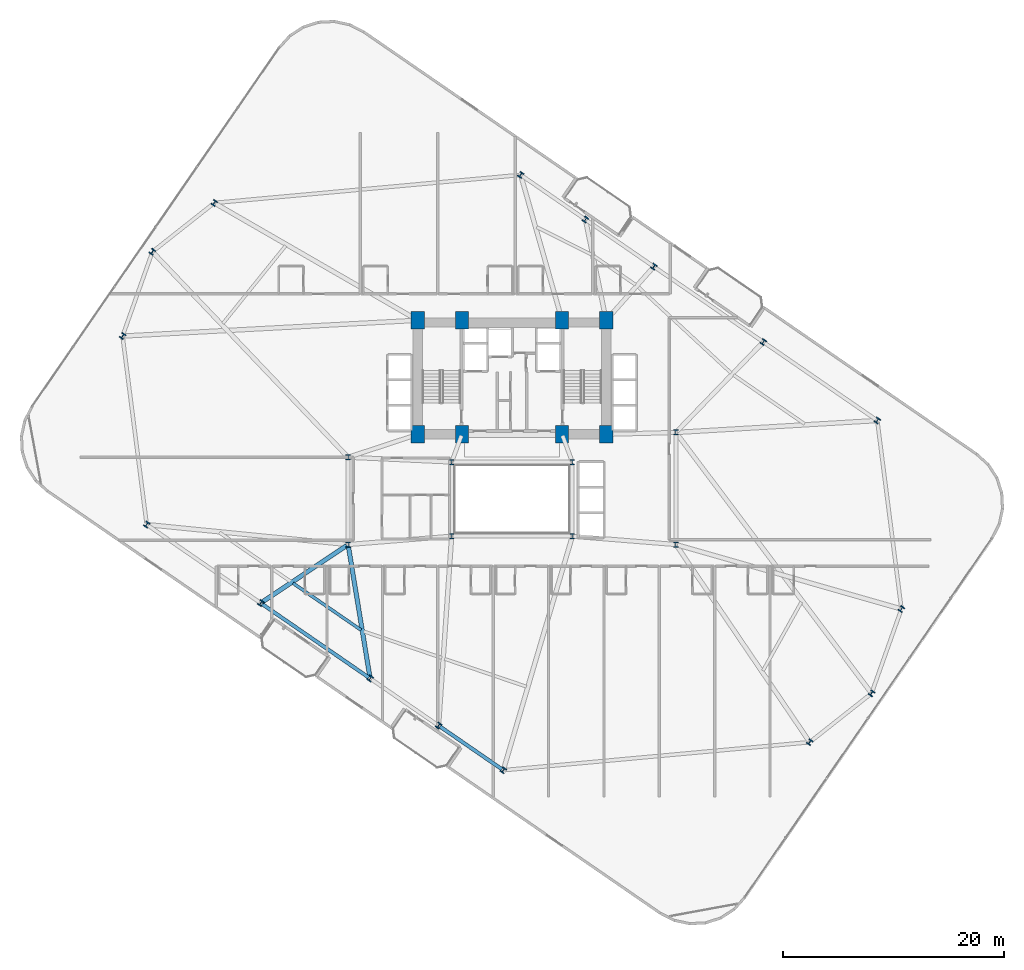
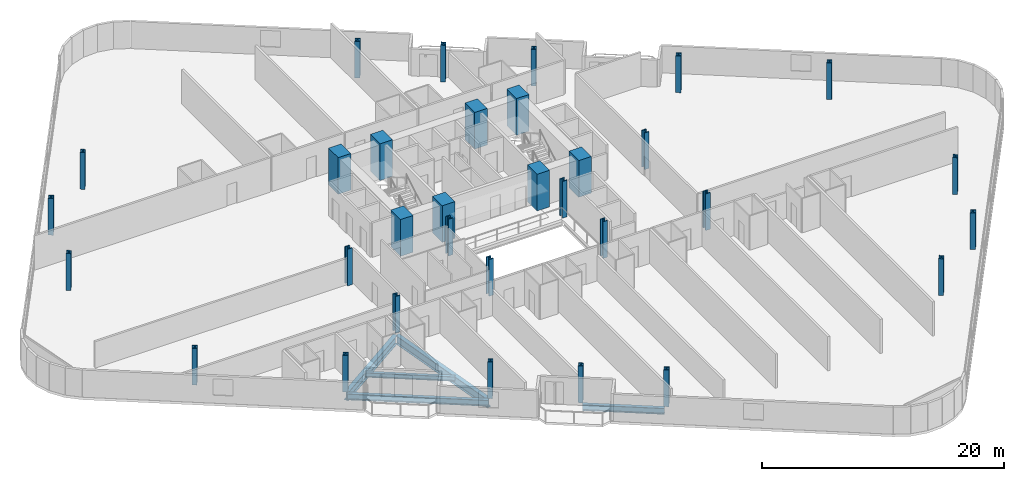
# One storey, part 1 of 27: 32 columns, 5 beams.
"""IFC4 building model written with IfcOpenShell, lengths in metres."""

from ifc_helpers import new_model, si_unit, direction, frame, origin, origin_2d, place, context, subcontext, project, spatial, rectangle, i_section, extrude, material, material_profile, profile_set, type_object, element, save


model = new_model("IFC4")

# Units and contexts
model_context = context("Model", 3, precision=1e-05, world=origin(), true_north=direction((0.0, 1.0)))
body_context = subcontext(model_context, "Body", "Model", "MODEL_VIEW")
ifc_project = project(units=[si_unit("LENGTHUNIT", "METRE"), si_unit("AREAUNIT", "SQUARE_METRE"), si_unit("VOLUMEUNIT", "CUBIC_METRE"), si_unit("PLANEANGLEUNIT", "RADIAN"), si_unit("MASSUNIT", "GRAM", prefix="KILO")], contexts=[model_context])

# Site, building, storey
site_placement = place(None, origin())
site = spatial("IfcSite", under=ifc_project, at=site_placement, CompositionType="ELEMENT")
building_placement = place(site_placement, origin())
building = spatial("IfcBuilding", under=site, at=building_placement, Name="Varnelok Gate Tower", CompositionType="ELEMENT")
storey_placement = place(building_placement, frame((0.0, 0.0, 30.699951171875)))
storey = spatial("IfcBuildingStorey", under=building, at=storey_placement, Name="L06", CompositionType="ELEMENT", Elevation=30.699951171875)

# Columns
ifc_material_1 = material(Name="Concrete C70/85", Category="concrete")
ifc_material_profile_1 = material_profile(ifc_material_1, rectangle(XDim=1.199951171875, YDim=1.60009765625, at=origin_2d()), Name="RC1600X1200")
ifc_profile_set_1 = profile_set([ifc_material_profile_1], Name="Concrete C70/85")
column_type_1 = type_object("IfcColumnType", Name="COL-RC1600X1200", PredefinedType="COLUMN", material=ifc_profile_set_1)
for number, where, z_axis, x_axis, name in (
    (1, (30.699951171875, 28.75, 0.0), (0.0, 0.0, 1.0), (1.0, 0.0, 0.0), "L06 Core Spine Column SC1"),
    (2, (34.679931640625, 28.75, 0.0), (0.0, 0.0, 1.0), (1.0, 0.0, 0.0), "L06 Core Spine Column SC2"),
    (3, (43.719970703125, 28.75, 0.0), (0.0, 0.0, 1.0), (1.0, 0.0, 0.0), "L06 Core Spine Column SC3"),
    (4, (47.699951171875, 28.75, 0.0), (0.0, 0.0, 1.0), (1.0, 0.0, 0.0), "L06 Core Spine Column SC4"),
    (5, (30.699951171875, 39.050048828125, 0.0), (0.0, 0.0, 1.0), (1.0, 0.0, 0.0), "L06 Core Spine Column SC5"),
    (6, (34.679931640625, 39.050048828125, 0.0), (0.0, 0.0, 1.0), (1.0, 0.0, 0.0), "L06 Core Spine Column SC6"),
    (7, (43.719970703125, 39.050048828125, 0.0), (0.0, 0.0, 1.0), (1.0, 0.0, 0.0), "L06 Core Spine Column SC7"),
    (8, (47.699951171875, 39.050048828125, 0.0), (0.0, 0.0, 1.0), (1.0, 0.0, 0.0), "L06 Core Spine Column SC8"),
):
    element("IfcColumn", number, at=place(storey_placement, frame(where, z_axis=z_axis, x_axis=x_axis)), inside=storey, type_object=column_type_1, Name=name, PredefinedType="COLUMN", context=body_context, shape_type="SweptSolid", body=[
        extrude(rectangle(XDim=1.199951171875, YDim=1.60009765625, at=origin_2d()), origin(), (0.0, 0.0, 1.0), 3.699951171875),
    ])
ifc_material_2 = material(Name="Structural Steel ASTM A992 Grade 50", Category="steel")
ifc_material_profile_2 = material_profile(ifc_material_2, i_section(OverallWidth=0.431884765625, OverallDepth=0.498046875, WebThickness=0.0556640625, FlangeThickness=0.0888671875, FilletRadius=0.02490234375, at=origin_2d()), Name="W14X500")
ifc_profile_set_2 = profile_set([ifc_material_profile_2], Name="Structural Steel ASTM A992 Grade 50")
column_type_2 = type_object("IfcColumnType", Name="COL-W14X500", PredefinedType="COLUMN", material=ifc_profile_set_2)
for number, where, z_axis, x_axis, name in (
    (9, (33.75, 19.550048828125, 0.0), (0.0, 0.0, 1.0), (1.0, 0.0, 0.0), "L06 Atrium Spine Column AC1"),
    (10, (44.64990234375, 19.550048828125, 0.0), (0.0, 0.0, 1.0), (1.0, 0.0, 0.0), "L06 Atrium Spine Column AC2"),
    (11, (33.75, 26.25, 0.0), (0.0, 0.0, 1.0), (1.0, 0.0, 0.0), "L06 Atrium Spine Column AC3"),
    (12, (44.64990234375, 26.25, 0.0), (0.0, 0.0, 1.0), (1.0, 0.0, 0.0), "L06 Atrium Spine Column AC4"),
    (13, (24.39990234375, 18.800048828125, 0.0), (0.0, 0.0, 1.0), (1.0, 0.0, 0.0), "L06 Wing Spine Column WS1"),
    (14, (24.39990234375, 26.679931640625, 0.0), (0.0, 0.0, 1.0), (1.0, 0.0, 0.0), "L06 Wing Spine Column WS2"),
    (15, (54.0, 18.800048828125, 0.0), (0.0, 0.0, 1.0), (1.0, 0.0, 0.0), "L06 Wing Spine Column ES1"),
    (16, (54.0, 28.919921875, 0.0), (0.0, 0.0, 1.0), (1.0, 0.0, 0.0), "L06 Wing Spine Column ES2"),
    (17, (6.214599609375, 20.602783203125, 0.0), (0.0, 0.0, 1.0), (0.823532597628, -0.567268949127, 0.0), "L06 B1 Perimeter Column PC01"),
    (18, (16.5087890625, 13.511962890625, 0.0), (0.0, 0.0, 1.0), (0.823532597628, -0.567268949127, 0.0), "L06 B1 Perimeter Column PC02"),
    (19, (26.39111328125, 6.70458984375, 0.0), (0.0, 0.0, 1.0), (0.823532597628, -0.567268949127, 0.0), "L06 B1 Perimeter Column PC03"),
    (20, (32.567626953125, 2.4501953125, 0.0), (0.0, 0.0, 1.0), (0.823532597628, -0.567268949127, 0.0), "L06 B1 Perimeter Column PC04"),
    (21, (38.41455078125, -1.577392578125, 0.0), (0.0, 0.0, 1.0), (0.823532597628, -0.567268949127, 0.0), "L06 B1 Perimeter Column PC05"),
    (22, (66.084716796875, 0.95263671875, 0.0), (0.0, 0.0, 1.0), (0.823532597628, -0.567268949127, 0.0), "L06 B1 Perimeter Column PC06"),
    (23, (71.669921875, 5.362548828125, 0.0), (0.0, 0.0, 1.0), (0.823532597628, -0.567268949127, 0.0), "L06 B1 Perimeter Column PC07"),
    (24, (74.366943359375, 12.976318359375, 0.0), (0.0, 0.0, 1.0), (0.823532597628, -0.567268949127, 0.0), "L06 B1 Perimeter Column PC08"),
    (25, (72.185546875, 29.997314453125, 0.0), (0.0, 0.0, 1.0), (0.823532597628, -0.567268949127, 0.0), "L06 B1 Perimeter Column PC09"),
    (26, (61.891357421875, 37.088134765625, 0.0), (0.0, 0.0, 1.0), (0.823532597628, -0.567268949127, 0.0), "L06 B1 Perimeter Column PC10"),
    (27, (52.0087890625, 43.8955078125, 0.0), (0.0, 0.0, 1.0), (0.823532597628, -0.567268949127, 0.0), "L06 B1 Perimeter Column PC11"),
    (28, (45.83251953125, 48.14990234375, 0.0), (0.0, 0.0, 1.0), (0.823532597628, -0.567268949127, 0.0), "L06 B1 Perimeter Column PC12"),
    (29, (39.9853515625, 52.177490234375, 0.0), (0.0, 0.0, 1.0), (0.823532597628, -0.567268949127, 0.0), "L06 B1 Perimeter Column PC13"),
    (30, (12.315185546875, 49.6474609375, 0.0), (0.0, 0.0, 1.0), (0.823532597628, -0.567268949127, 0.0), "L06 B1 Perimeter Column PC14"),
    (31, (6.72998046875, 45.237548828125, 0.0), (0.0, 0.0, 1.0), (0.823532597628, -0.567268949127, 0.0), "L06 B1 Perimeter Column PC15"),
    (32, (4.033203125, 37.623779296875, 0.0), (0.0, 0.0, 1.0), (0.823532597628, -0.567268949127, 0.0), "L06 B1 Perimeter Column PC16"),
):
    element("IfcColumn", number, at=place(storey_placement, frame(where, z_axis=z_axis, x_axis=x_axis)), inside=storey, type_object=column_type_2, Name=name, PredefinedType="COLUMN", context=body_context, shape_type="SweptSolid", body=[
        extrude(i_section(OverallWidth=0.431884765625, OverallDepth=0.498046875, WebThickness=0.0556640625, FlangeThickness=0.0888671875, FilletRadius=0.02490234375, at=origin_2d()), origin(), (0.0, 0.0, 1.0), 3.699951171875),
    ])

# Beams
ifc_material_profile_3 = material_profile(ifc_material_2, i_section(OverallWidth=0.280029296875, OverallDepth=0.462890625, WebThickness=0.0107421875, FlangeThickness=0.017333984375, FilletRadius=0.014892578125, at=origin_2d()), Name="W18X76")
ifc_profile_set_3 = profile_set([ifc_material_profile_3], Name="Structural Steel ASTM A992 Grade 50")
beam_type_1 = type_object("IfcBeamType", Name="BM-JST-W18X76", PredefinedType="JOIST", material=ifc_profile_set_3)
beam_1_placement = place(storey_placement, frame((19.42529296875, 15.309814453125, -0.4814453125), z_axis=(0.823536478582, -0.567263314911, 0.0), x_axis=(0.567263314911, 0.823536478582, 0.0)))
element("IfcBeam", 33, at=beam_1_placement, inside=storey, type_object=beam_type_1, Name="L06 Sector Floor Joist 2", PredefinedType="JOIST", context=body_context, shape_type="SweptSolid", body=[
    extrude(i_section(OverallWidth=0.280029296875, OverallDepth=0.462890625, WebThickness=0.0107421875, FlangeThickness=0.017333984375, FilletRadius=0.014892578125, at=origin_2d()), origin(), (0.0, 0.0, 1.0), 7.460205078125),
])
ifc_material_profile_4 = material_profile(ifc_material_2, i_section(OverallWidth=0.39892578125, OverallDepth=0.85498046875, WebThickness=0.018310546875, FlangeThickness=0.029296875, FilletRadius=0.02392578125, at=origin_2d()), Name="W33X201")
ifc_profile_set_4 = profile_set([ifc_material_profile_4], Name="Structural Steel ASTM A992 Grade 50")
beam_type_2 = type_object("IfcBeamType", Name="BM-PRI-W33X201", PredefinedType="BEAM", material=ifc_profile_set_4)
beam_2_placement = place(storey_placement, frame((24.275390625, 18.716552734375, -0.677490234375), z_axis=(-0.830725059098, -0.556682922485, 0.0), x_axis=(0.556682922485, -0.830725059098, 0.0)))
element("IfcBeam", 34, at=beam_2_placement, inside=storey, type_object=beam_type_2, Name="L06 Radial Floor Girder 2", PredefinedType="BEAM", context=body_context, shape_type="SweptSolid", body=[
    extrude(i_section(OverallWidth=0.39892578125, OverallDepth=0.85498046875, WebThickness=0.018310546875, FlangeThickness=0.029296875, FilletRadius=0.02392578125, at=origin_2d()), origin(), (0.0, 0.0, 1.0), 9.19921875),
])
beam_3_placement = place(storey_placement, frame((24.42431640625, 18.652099609375, -0.677490234375), z_axis=(0.162428802214, -0.986720266444, 0.0), x_axis=(0.986720266444, 0.162428802214, 0.0)))
element("IfcBeam", 35, at=beam_3_placement, inside=storey, type_object=beam_type_2, Name="L06 Radial Floor Girder 3", PredefinedType="BEAM", context=body_context, shape_type="SweptSolid", body=[
    extrude(i_section(OverallWidth=0.39892578125, OverallDepth=0.85498046875, WebThickness=0.018310546875, FlangeThickness=0.029296875, FilletRadius=0.02392578125, at=origin_2d()), origin(), (0.0, 0.0, 1.0), 11.958251953125),
])
ifc_material_profile_5 = material_profile(ifc_material_2, i_section(OverallWidth=0.323974609375, OverallDepth=0.611083984375, WebThickness=0.0126953125, FlangeThickness=0.01904296875, FilletRadius=0.01806640625, at=origin_2d()), Name="W24X104")
ifc_profile_set_5 = profile_set([ifc_material_profile_5], Name="Structural Steel ASTM A992 Grade 50")
beam_type_3 = type_object("IfcBeamType", Name="BM-SPN-W24X104", PredefinedType="SPANDREL", material=ifc_profile_set_5)
beam_4_placement = place(storey_placement, frame((16.632080078125, 13.4267578125, -0.555419921875), z_axis=(0.823540527698, -0.567257436478, 0.0), x_axis=(0.567257436478, 0.823540527698, 0.0)))
element("IfcBeam", 36, at=beam_4_placement, inside=storey, type_object=beam_type_3, Name="L06 Perimeter Spandrel Beam 2", PredefinedType="SPANDREL", context=body_context, shape_type="SweptSolid", body=[
    extrude(i_section(OverallWidth=0.323974609375, OverallDepth=0.611083984375, WebThickness=0.0126953125, FlangeThickness=0.01904296875, FilletRadius=0.01806640625, at=origin_2d()), origin(), (0.0, 0.0, 1.0), 11.7001953125),
])
beam_5_placement = place(storey_placement, frame((32.691162109375, 2.364990234375, -0.555419921875), z_axis=(0.823525119645, -0.567279805135, 0.0), x_axis=(0.567279805135, 0.823525119645, 0.0)))
element("IfcBeam", 37, at=beam_5_placement, inside=storey, type_object=beam_type_3, Name="L06 Perimeter Spandrel Beam 4", PredefinedType="SPANDREL", context=body_context, shape_type="SweptSolid", body=[
    extrude(i_section(OverallWidth=0.323974609375, OverallDepth=0.611083984375, WebThickness=0.0126953125, FlangeThickness=0.01904296875, FilletRadius=0.01806640625, at=origin_2d()), origin(), (0.0, 0.0, 1.0), 6.7998046875),
])

save(model, "model.ifc")
